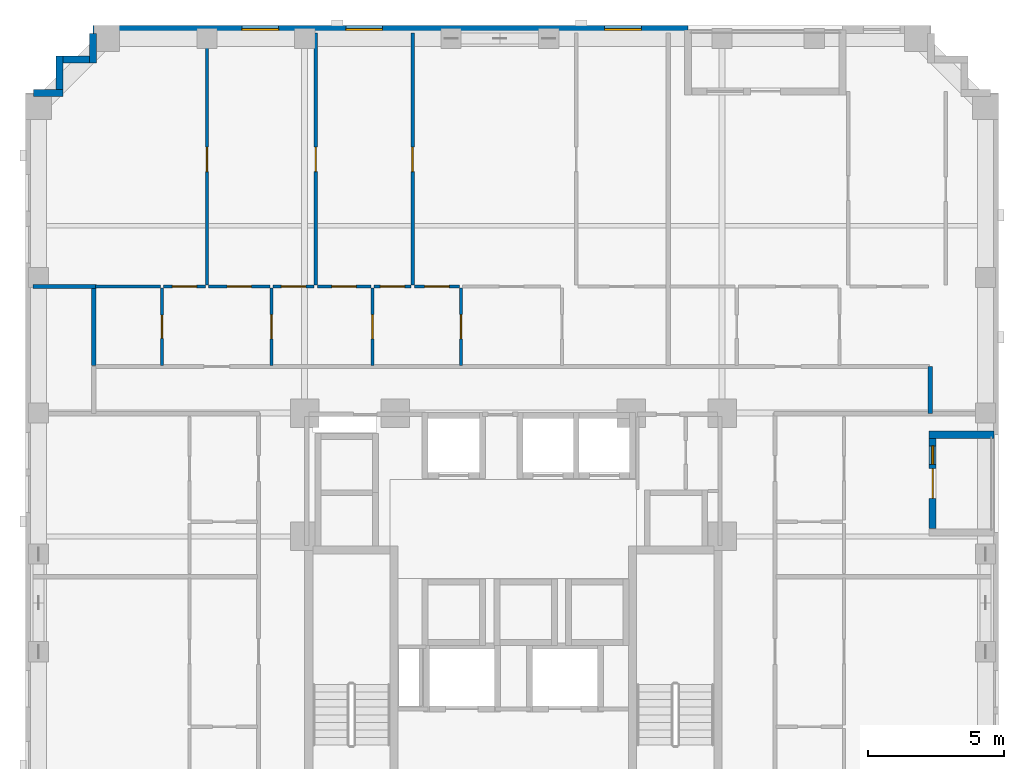
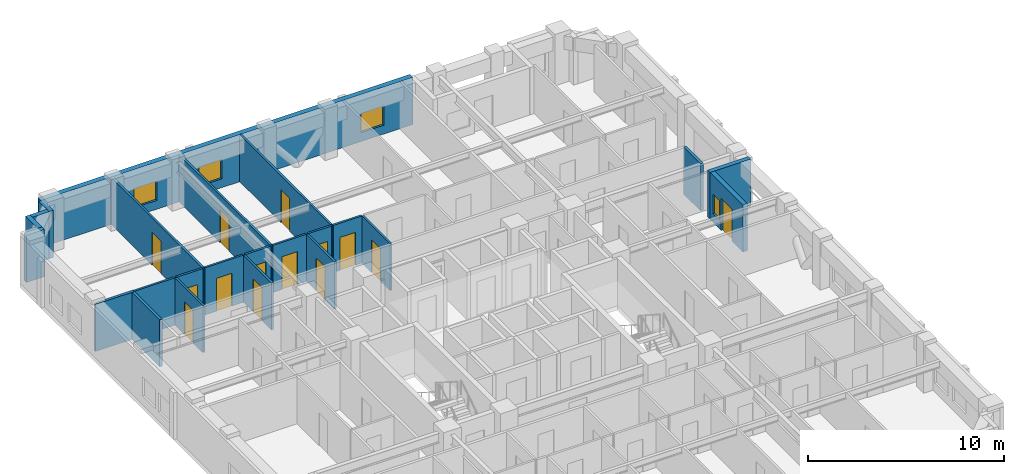
# One storey, part 7 of 12: 24 walls, 14 doors, 4 windows, 18 openings.
"""IFC4 building model written with IfcOpenShell, lengths in metres."""

from ifc_helpers import new_model, si_unit, derived_unit, direction, frame, frame_2d, origin, place, context, subcontext, project, spatial, rectangle, extrude, material, layer, layer_set, type_object, element, fill, save


model = new_model("IFC4")

# Units and contexts
model_context = context("Model", 3, precision=1e-05, world=origin(), true_north=direction((0.0, 1.0)))
body_context = subcontext(model_context, "Body", "Model", "MODEL_VIEW")
ifc_project = project(units=[si_unit("LENGTHUNIT", "METRE"), si_unit("AREAUNIT", "SQUARE_METRE"), si_unit("VOLUMEUNIT", "CUBIC_METRE"), si_unit("PLANEANGLEUNIT", "RADIAN"), si_unit("MASSUNIT", "GRAM", prefix="KILO"), derived_unit("THERMALTRANSMITTANCEUNIT", [(si_unit("MASSUNIT", "GRAM", prefix="KILO"), 1), (si_unit("TIMEUNIT", "SECOND"), -3), (si_unit("THERMODYNAMICTEMPERATUREUNIT", "KELVIN"), -1)])], contexts=[model_context])

# Site, building, storey
site_placement = place(None, origin())
site = spatial("IfcSite", under=ifc_project, at=site_placement, CompositionType="ELEMENT")
building_placement = place(site_placement, origin())
building = spatial("IfcBuilding", under=site, at=building_placement, Name="Korrvale Station Residences", CompositionType="ELEMENT")
storey_placement = place(building_placement, frame((0.0, 0.0, 110.300048828125)))
storey = spatial("IfcBuildingStorey", under=building, at=storey_placement, Name="L31", CompositionType="ELEMENT", Elevation=110.300048828125)

# Wall
ifc_material_1 = material(Name="Precast concrete C45/55", Category="concrete")
ifc_layer_1 = layer(ifc_material_1, 0.260009765625, Name="Precast concrete C45/55")
ifc_layer_set_1 = layer_set([ifc_layer_1], Name="Precast concrete C45/55")
wall_type_1 = type_object("IfcWallType", Name="WAL-EXT-LOG260", PredefinedType="SOLIDWALL", material=ifc_layer_set_1)
wall_1_placement = place(storey_placement, frame((43.239990234375, 28.199951171875, 0.0), z_axis=(0.0, 0.0, 1.0), x_axis=(-1.0, 0.0, 0.0)))
element("IfcWall", 1, at=wall_1_placement, inside=storey, type_object=wall_type_1, Name="L31 Recessed Loggia Wall BAL-L31-E1-L", PredefinedType="SOLIDWALL", context=body_context, shape_type="SweptSolid", body=[
    extrude(rectangle(XDim=2.39990234375, YDim=0.260009765625, at=frame_2d((1.199951171875, 0.0))), origin(), (0.0, 0.0, 1.0), 2.93994140625),
])

# Wall, openings, door, window
wall_2_placement = place(storey_placement, frame((40.969970703125, 28.06591796875, 0.0), z_axis=(0.0, 0.0, 1.0), x_axis=(0.0, -1.0, 0.0)))
wall_2 = element("IfcWall", 2, at=wall_2_placement, inside=storey, type_object=wall_type_1, Name="L31 Recessed Loggia Wall BAL-L31-E1-B", PredefinedType="SOLIDWALL", context=body_context, shape_type="SweptSolid", body=[
    extrude(rectangle(XDim=3.33203125, YDim=0.260009765625, at=frame_2d((1.666015625, 0.0))), origin(), (0.0, 0.0, 1.0), 2.93994140625),
])
opening_1_placement = place(wall_2_placement, frame((1.115966796875, 0.0, 0.0)))
opening_1 = element("IfcOpeningElement", 3, at=opening_1_placement, cuts=wall_2, Name="Opening BD-01", PredefinedType="OPENING", context=body_context, shape_type="SweptSolid", body=[
    extrude(rectangle(XDim=1.10009765625, YDim=2.0, at=frame_2d((0.550048828125, 1.0))), frame((0.0, 0.14013671875, 0.0), z_axis=(0.0, -1.0, 0.0), x_axis=(1.0, 0.0, 0.0)), (0.0, 0.0, 1.0), 0.280029296875),
])
opening_2_placement = place(wall_2_placement, frame((0.27587890625, 0.0, 0.550048828125)))
opening_2 = element("IfcOpeningElement", 4, at=opening_2_placement, cuts=wall_2, Name="Opening W-12", PredefinedType="OPENING", context=body_context, shape_type="SweptSolid", body=[
    extrude(rectangle(XDim=0.679931640625, YDim=1.199951171875, at=frame_2d((0.33984375, 0.60009765625))), frame((0.0, 0.14013671875, 0.0), z_axis=(0.0, -1.0, 0.0), x_axis=(1.0, 0.0, 0.0)), (0.0, 0.0, 1.0), 0.280029296875),
])
ifc_material_2 = material(Name="Exterior thermally broken aluminium glazed balcony door", Category="aluminium")
door_type_1 = type_object("IfcDoorType", Name="DR-EXT-BAL", OperationType="NOTDEFINED", PredefinedType="DOOR", material=ifc_material_2)
door_1_placement = place(opening_1_placement, origin())
door_1 = element("IfcDoor", 5, at=door_1_placement, inside=storey, type_object=door_type_1, Name="L31 Loggia Balcony Door BAL-L31-E1", OperationType="SINGLE_SWING_RIGHT", OverallHeight=2.0, OverallWidth=1.10009765625, PredefinedType="DOOR", context=body_context, shape_type="SweptSolid", body=[
    extrude(rectangle(XDim=1.10009765625, YDim=2.0, at=frame_2d((0.550048828125, 1.0))), frame((0.0, 0.02490234375, 0.0), z_axis=(0.0, -1.0, 0.0), x_axis=(1.0, 0.0, 0.0)), (0.0, 0.0, 1.0), 0.050048828125),
])
fill(opening_1, door_1)
ifc_material_3 = material(Name="Thermally broken aluminium frame with triple low-e glazing", Category="aluminium")
window_type_1 = type_object("IfcWindowType", Name="WIN-W12", PartitioningType="SINGLE_PANEL", PredefinedType="WINDOW", material=ifc_material_3)
window_1_placement = place(opening_2_placement, origin())
window_1 = element("IfcWindow", 6, at=window_1_placement, inside=storey, type_object=window_type_1, Name="L31 Punched Window 25", OverallHeight=1.199951171875, OverallWidth=0.679931640625, PartitioningType="SINGLE_PANEL", PredefinedType="WINDOW", context=body_context, shape_type="SweptSolid", body=[
    extrude(rectangle(XDim=0.679931640625, YDim=1.199951171875, at=frame_2d((0.33984375, 0.60009765625))), frame((0.0, 0.030029296875, 0.0), z_axis=(0.0, -1.0, 0.0), x_axis=(1.0, 0.0, 0.0)), (0.0, 0.0, 1.0), 0.06005859375),
])
fill(opening_2, window_1)

# Walls
wall_3_placement = place(storey_placement, frame((7.802001953125, 40.800048828125, 0.0), z_axis=(0.0, 0.0, 1.0), x_axis=(1.0, 0.0, 0.0)))
element("IfcWall", 7, at=wall_3_placement, inside=storey, type_object=wall_type_1, Name="L31 Serrated Corner Precast Step NW-1", PredefinedType="SOLIDWALL", context=body_context, shape_type="SweptSolid", body=[
    extrude(rectangle(XDim=1.077880859375, YDim=0.260009765625, at=frame_2d((0.5390625, 0.0))), origin(), (0.0, 0.0, 1.0), 2.93994140625),
])
wall_4_placement = place(storey_placement, frame((8.75, 40.931884765625, 0.0), z_axis=(0.0, 0.0, 1.0), x_axis=(0.0, 1.0, 0.0)))
element("IfcWall", 8, at=wall_4_placement, inside=storey, type_object=wall_type_1, Name="L31 Serrated Corner Precast Step NW-2", PredefinedType="SOLIDWALL", context=body_context, shape_type="SweptSolid", body=[
    extrude(rectangle(XDim=1.248046875, YDim=0.260009765625, at=frame_2d((0.6240234375, 0.0))), origin(), (0.0, 0.0, 1.0), 2.93994140625),
])
wall_5_placement = place(storey_placement, frame((8.882080078125, 42.050048828125, 0.0), z_axis=(0.0, 0.0, 1.0), x_axis=(1.0, 0.0, 0.0)))
element("IfcWall", 9, at=wall_5_placement, inside=storey, type_object=wall_type_1, Name="L31 Serrated Corner Precast Step NW-3", PredefinedType="SOLIDWALL", context=body_context, shape_type="SweptSolid", body=[
    extrude(rectangle(XDim=0.98583984375, YDim=0.260009765625, at=frame_2d((0.492919921875, 0.0))), origin(), (0.0, 0.0, 1.0), 2.93994140625),
])
wall_6_placement = place(storey_placement, frame((10.0, 41.919921875, 0.0), z_axis=(0.0, 0.0, 1.0), x_axis=(0.0, 1.0, 0.0)))
element("IfcWall", 10, at=wall_6_placement, inside=storey, type_object=wall_type_1, Name="L31 Serrated Corner Precast Step NW-4", PredefinedType="SOLIDWALL", context=body_context, shape_type="SweptSolid", body=[
    extrude(rectangle(XDim=1.078125, YDim=0.260009765625, at=frame_2d((0.5390625, 0.0))), origin(), (0.0, 0.0, 1.0), 2.93994140625),
])

# Wall, openings, windows
ifc_layer_2 = layer(ifc_material_1, 0.300048828125, Name="Precast concrete C45/55")
ifc_layer_set_2 = layer_set([ifc_layer_2], Name="Precast concrete C45/55")
wall_type_2 = type_object("IfcWallType", Name="WAL-EXT-PC300", PredefinedType="SOLIDWALL", material=ifc_layer_set_2)
wall_7_placement = place(storey_placement, frame((10.0, 43.14990234375, 0.0), z_axis=(0.0, 0.0, 1.0), x_axis=(1.0, 0.0, 0.0)))
wall_7 = element("IfcWall", 11, at=wall_7_placement, inside=storey, type_object=wall_type_2, Name="L31 North Exterior Precast Wall 1", PredefinedType="SOLIDWALL", context=body_context, shape_type="SweptSolid", body=[
    extrude(rectangle(XDim=21.949951171875, YDim=0.300048828125, at=frame_2d((10.97509765625, 0.0))), origin(), (0.0, 0.0, 1.0), 2.93994140625),
])
opening_3_placement = place(wall_7_placement, frame((5.489013671875, 0.0, 0.550048828125)))
opening_3 = element("IfcOpeningElement", 12, at=opening_3_placement, cuts=wall_7, Name="Opening W-10", PredefinedType="OPENING", context=body_context, shape_type="SweptSolid", body=[
    extrude(rectangle(XDim=1.35009765625, YDim=1.199951171875, at=frame_2d((0.675048828125, 0.60009765625))), frame((0.0, 0.16015625, 0.0), z_axis=(0.0, -1.0, 0.0), x_axis=(1.0, 0.0, 0.0)), (0.0, 0.0, 1.0), 0.320068359375),
])
opening_4_placement = place(wall_7_placement, frame((9.322021484375, 0.0, 0.550048828125)))
opening_4 = element("IfcOpeningElement", 13, at=opening_4_placement, cuts=wall_7, Name="Opening W-10", PredefinedType="OPENING", context=body_context, shape_type="SweptSolid", body=[
    extrude(rectangle(XDim=1.35009765625, YDim=1.199951171875, at=frame_2d((0.675048828125, 0.60009765625))), frame((0.0, 0.16015625, 0.0), z_axis=(0.0, -1.0, 0.0), x_axis=(1.0, 0.0, 0.0)), (0.0, 0.0, 1.0), 0.320068359375),
])
opening_5_placement = place(wall_7_placement, frame((18.868896484375, 0.0, 0.550048828125)))
opening_5 = element("IfcOpeningElement", 14, at=opening_5_placement, cuts=wall_7, Name="Opening W-10", PredefinedType="OPENING", context=body_context, shape_type="SweptSolid", body=[
    extrude(rectangle(XDim=1.35009765625, YDim=1.199951171875, at=frame_2d((0.675048828125, 0.60009765625))), frame((0.0, 0.16015625, 0.0), z_axis=(0.0, -1.0, 0.0), x_axis=(1.0, 0.0, 0.0)), (0.0, 0.0, 1.0), 0.320068359375),
])
window_type_2 = type_object("IfcWindowType", Name="WIN-W10", PartitioningType="SINGLE_PANEL", PredefinedType="WINDOW", material=ifc_material_3)
window_2_placement = place(opening_3_placement, origin())
window_2 = element("IfcWindow", 15, at=window_2_placement, inside=storey, type_object=window_type_2, Name="L31 Punched Window 14", OverallHeight=1.199951171875, OverallWidth=1.35009765625, PartitioningType="SINGLE_PANEL", PredefinedType="WINDOW", context=body_context, shape_type="SweptSolid", body=[
    extrude(rectangle(XDim=1.35009765625, YDim=1.199951171875, at=frame_2d((0.675048828125, 0.60009765625))), frame((0.0, 0.030029296875, 0.0), z_axis=(0.0, -1.0, 0.0), x_axis=(1.0, 0.0, 0.0)), (0.0, 0.0, 1.0), 0.06005859375),
])
fill(opening_3, window_2)
window_3_placement = place(opening_4_placement, origin())
window_3 = element("IfcWindow", 16, at=window_3_placement, inside=storey, type_object=window_type_2, Name="L31 Punched Window 15", OverallHeight=1.199951171875, OverallWidth=1.35009765625, PartitioningType="SINGLE_PANEL", PredefinedType="WINDOW", context=body_context, shape_type="SweptSolid", body=[
    extrude(rectangle(XDim=1.35009765625, YDim=1.199951171875, at=frame_2d((0.675048828125, 0.60009765625))), frame((0.0, 0.030029296875, 0.0), z_axis=(0.0, -1.0, 0.0), x_axis=(1.0, 0.0, 0.0)), (0.0, 0.0, 1.0), 0.06005859375),
])
fill(opening_4, window_3)
window_4_placement = place(opening_5_placement, origin())
window_4 = element("IfcWindow", 17, at=window_4_placement, inside=storey, type_object=window_type_2, Name="L31 Punched Window 16", OverallHeight=1.199951171875, OverallWidth=1.35009765625, PartitioningType="SINGLE_PANEL", PredefinedType="WINDOW", context=body_context, shape_type="SweptSolid", body=[
    extrude(rectangle(XDim=1.35009765625, YDim=1.199951171875, at=frame_2d((0.675048828125, 0.60009765625))), frame((0.0, 0.030029296875, 0.0), z_axis=(0.0, -1.0, 0.0), x_axis=(1.0, 0.0, 0.0)), (0.0, 0.0, 1.0), 0.06005859375),
])
fill(opening_5, window_4)

# Wall, opening, door
ifc_material_4 = material(Name="Acoustic steel-stud gypsum board partition", Category="steel")
ifc_layer_3 = layer(ifc_material_4, 0.1201171875, Name="Acoustic steel-stud gypsum board partition")
ifc_layer_set_3 = layer_set([ifc_layer_3], Name="Acoustic steel-stud gypsum board partition")
wall_type_3 = type_object("IfcWallType", Name="WAL-PART-125", PredefinedType="PARTITIONING", material=ifc_layer_set_3)
wall_8_placement = place(storey_placement, frame((12.5400390625, 30.760009765625, 0.0), z_axis=(0.0, 0.0, 1.0), x_axis=(0.0, 1.0, 0.0)))
wall_8 = element("IfcWall", 18, at=wall_8_placement, inside=storey, type_object=wall_type_3, Name="L31 Suite Partition U03-V01", PredefinedType="PARTITIONING", context=body_context, shape_type="SweptSolid", body=[
    extrude(rectangle(XDim=2.85009765625, YDim=0.1201171875, at=frame_2d((1.425048828125, 0.0))), origin(), (0.0, 0.0, 1.0), 2.93994140625),
])
opening_6_placement = place(wall_8_placement, frame((0.9951171875, 0.0, 0.0)))
opening_6 = element("IfcOpeningElement", 19, at=opening_6_placement, cuts=wall_8, Name="Opening DB-860", PredefinedType="OPENING", context=body_context, shape_type="SweptSolid", body=[
    extrude(rectangle(XDim=0.860107421875, YDim=2.050048828125, at=frame_2d((0.43017578125, 1.02490234375))), frame((0.0, 0.070068359375, 0.0), z_axis=(0.0, -1.0, 0.0), x_axis=(1.0, 0.0, 0.0)), (0.0, 0.0, 1.0), 0.14013671875),
])
ifc_material_5 = material(Name="Moisture-resistant solid-core bathroom door", Category="timber")
door_type_2 = type_object("IfcDoorType", Name="DR-BATH-860", OperationType="NOTDEFINED", PredefinedType="DOOR", material=ifc_material_5)
door_2_placement = place(opening_6_placement, origin())
door_2 = element("IfcDoor", 20, at=door_2_placement, inside=storey, type_object=door_type_2, Name="L31 Apartment 1BR L31-U03 Bathroom Door", OperationType="SINGLE_SWING_RIGHT", OverallHeight=2.050048828125, OverallWidth=0.860107421875, PredefinedType="DOOR", context=body_context, shape_type="SweptSolid", body=[
    extrude(rectangle(XDim=0.860107421875, YDim=2.050048828125, at=frame_2d((0.43017578125, 1.02490234375))), frame((0.0, 0.02490234375, 0.0), z_axis=(0.0, -1.0, 0.0), x_axis=(1.0, 0.0, 0.0)), (0.0, 0.0, 1.0), 0.050048828125),
])
fill(opening_6, door_2)

# Wall
wall_9_placement = place(storey_placement, frame((10.080078125, 33.669921875, 0.0), z_axis=(0.0, 0.0, 1.0), x_axis=(1.0, 0.0, 0.0)))
element("IfcWall", 21, at=wall_9_placement, inside=storey, type_object=wall_type_3, Name="L31 Suite Partition U03-H06", PredefinedType="PARTITIONING", context=body_context, shape_type="SweptSolid", body=[
    extrude(rectangle(XDim=2.39990234375, YDim=0.1201171875, at=frame_2d((1.199951171875, 0.0))), origin(), (0.0, 0.0, 1.0), 2.93994140625),
])

# Wall, opening, door
wall_10_placement = place(storey_placement, frame((16.580078125, 30.760009765625, 0.0), z_axis=(0.0, 0.0, 1.0), x_axis=(0.0, 1.0, 0.0)))
wall_10 = element("IfcWall", 22, at=wall_10_placement, inside=storey, type_object=wall_type_3, Name="L31 Suite Partition U03-V12", PredefinedType="PARTITIONING", context=body_context, shape_type="SweptSolid", body=[
    extrude(rectangle(XDim=2.85009765625, YDim=0.1201171875, at=frame_2d((1.425048828125, 0.0))), origin(), (0.0, 0.0, 1.0), 2.93994140625),
])
opening_7_placement = place(wall_10_placement, frame((0.97509765625, 0.0, 0.0)))
opening_7 = element("IfcOpeningElement", 23, at=opening_7_placement, cuts=wall_10, Name="Opening DI-900", PredefinedType="OPENING", context=body_context, shape_type="SweptSolid", body=[
    extrude(rectangle(XDim=0.89990234375, YDim=2.050048828125, at=frame_2d((0.449951171875, 1.02490234375))), frame((0.0, 0.070068359375, 0.0), z_axis=(0.0, -1.0, 0.0), x_axis=(1.0, 0.0, 0.0)), (0.0, 0.0, 1.0), 0.14013671875),
])
ifc_material_6 = material(Name="Painted solid-core timber interior room door", Category="wood")
door_type_3 = type_object("IfcDoorType", Name="DR-INT-900", OperationType="NOTDEFINED", PredefinedType="DOOR", material=ifc_material_6)
door_3_placement = place(opening_7_placement, origin())
door_3 = element("IfcDoor", 24, at=door_3_placement, inside=storey, type_object=door_type_3, Name="L31 Apartment 1BR L31-U03 Kitchen Door", OperationType="SINGLE_SWING_LEFT", OverallHeight=2.050048828125, OverallWidth=0.89990234375, PredefinedType="DOOR", context=body_context, shape_type="SweptSolid", body=[
    extrude(rectangle(XDim=0.89990234375, YDim=2.050048828125, at=frame_2d((0.449951171875, 1.02490234375))), frame((0.0, 0.02490234375, 0.0), z_axis=(0.0, -1.0, 0.0), x_axis=(1.0, 0.0, 0.0)), (0.0, 0.0, 1.0), 0.050048828125),
])
fill(opening_7, door_3)

wall_11_placement = place(storey_placement, frame((12.60009765625, 33.669921875, 0.0), z_axis=(0.0, 0.0, 1.0), x_axis=(1.0, 0.0, 0.0)))
wall_11 = element("IfcWall", 25, at=wall_11_placement, inside=storey, type_object=wall_type_3, Name="L31 Suite Partition U03-H16", PredefinedType="PARTITIONING", context=body_context, shape_type="SweptSolid", body=[
    extrude(rectangle(XDim=1.539794921875, YDim=0.1201171875, at=frame_2d((0.77001953125, 0.0))), origin(), (0.0, 0.0, 1.0), 2.93994140625),
])
opening_8_placement = place(wall_11_placement, frame((0.320068359375, 0.0, 0.0)))
opening_8 = element("IfcOpeningElement", 26, at=opening_8_placement, cuts=wall_11, Name="Opening DI-900", PredefinedType="OPENING", context=body_context, shape_type="SweptSolid", body=[
    extrude(rectangle(XDim=0.89990234375, YDim=2.050048828125, at=frame_2d((0.449951171875, 1.02490234375))), frame((0.0, 0.070068359375, 0.0), z_axis=(0.0, -1.0, 0.0), x_axis=(1.0, 0.0, 0.0)), (0.0, 0.0, 1.0), 0.14013671875),
])
door_4_placement = place(opening_8_placement, origin())
door_4 = element("IfcDoor", 27, at=door_4_placement, inside=storey, type_object=door_type_3, Name="L31 Apartment 1BR L31-U03 Kitchen Door", OperationType="SINGLE_SWING_RIGHT", OverallHeight=2.050048828125, OverallWidth=0.89990234375, PredefinedType="DOOR", context=body_context, shape_type="SweptSolid", body=[
    extrude(rectangle(XDim=0.89990234375, YDim=2.050048828125, at=frame_2d((0.449951171875, 1.02490234375))), frame((0.0, 0.02490234375, 0.0), z_axis=(0.0, -1.0, 0.0), x_axis=(1.0, 0.0, 0.0)), (0.0, 0.0, 1.0), 0.050048828125),
])
fill(opening_8, door_4)

wall_12_placement = place(storey_placement, frame((14.260009765625, 33.669921875, 0.0), z_axis=(0.0, 0.0, 1.0), x_axis=(1.0, 0.0, 0.0)))
wall_12 = element("IfcWall", 28, at=wall_12_placement, inside=storey, type_object=wall_type_3, Name="L31 Suite Partition U03-H17", PredefinedType="PARTITIONING", context=body_context, shape_type="SweptSolid", body=[
    extrude(rectangle(XDim=2.260009765625, YDim=0.1201171875, at=frame_2d((1.1298828125, 0.0))), origin(), (0.0, 0.0, 1.0), 2.93994140625),
])
opening_9_placement = place(wall_12_placement, frame((0.679931640625, 0.0, 0.0)))
opening_9 = element("IfcOpeningElement", 29, at=opening_9_placement, cuts=wall_12, Name="Opening DI-900", PredefinedType="OPENING", context=body_context, shape_type="SweptSolid", body=[
    extrude(rectangle(XDim=0.89990234375, YDim=2.050048828125, at=frame_2d((0.449951171875, 1.02490234375))), frame((0.0, 0.070068359375, 0.0), z_axis=(0.0, -1.0, 0.0), x_axis=(1.0, 0.0, 0.0)), (0.0, 0.0, 1.0), 0.14013671875),
])
door_5_placement = place(opening_9_placement, origin())
door_5 = element("IfcDoor", 30, at=door_5_placement, inside=storey, type_object=door_type_3, Name="L31 Apartment 1BR L31-U03 Kitchen Door", OperationType="SINGLE_SWING_LEFT", OverallHeight=2.050048828125, OverallWidth=0.89990234375, PredefinedType="DOOR", context=body_context, shape_type="SweptSolid", body=[
    extrude(rectangle(XDim=0.89990234375, YDim=2.050048828125, at=frame_2d((0.449951171875, 1.02490234375))), frame((0.0, 0.02490234375, 0.0), z_axis=(0.0, -1.0, 0.0), x_axis=(1.0, 0.0, 0.0)), (0.0, 0.0, 1.0), 0.050048828125),
])
fill(opening_9, door_5)

wall_13_placement = place(storey_placement, frame((20.300048828125, 30.760009765625, 0.0), z_axis=(0.0, 0.0, 1.0), x_axis=(0.0, 1.0, 0.0)))
wall_13 = element("IfcWall", 31, at=wall_13_placement, inside=storey, type_object=wall_type_3, Name="L31 Suite Partition U03-V23", PredefinedType="PARTITIONING", context=body_context, shape_type="SweptSolid", body=[
    extrude(rectangle(XDim=2.85009765625, YDim=0.1201171875, at=frame_2d((1.425048828125, 0.0))), origin(), (0.0, 0.0, 1.0), 2.93994140625),
])
opening_10_placement = place(wall_13_placement, frame((0.97509765625, 0.0, 0.0)))
opening_10 = element("IfcOpeningElement", 32, at=opening_10_placement, cuts=wall_13, Name="Opening DI-900", PredefinedType="OPENING", context=body_context, shape_type="SweptSolid", body=[
    extrude(rectangle(XDim=0.89990234375, YDim=2.050048828125, at=frame_2d((0.449951171875, 1.02490234375))), frame((0.0, 0.070068359375, 0.0), z_axis=(0.0, -1.0, 0.0), x_axis=(1.0, 0.0, 0.0)), (0.0, 0.0, 1.0), 0.14013671875),
])
door_6_placement = place(opening_10_placement, origin())
door_6 = element("IfcDoor", 33, at=door_6_placement, inside=storey, type_object=door_type_3, Name="L31 Apartment 1BR L31-U03 Utility and Laundry Room Door", OperationType="SINGLE_SWING_RIGHT", OverallHeight=2.050048828125, OverallWidth=0.89990234375, PredefinedType="DOOR", context=body_context, shape_type="SweptSolid", body=[
    extrude(rectangle(XDim=0.89990234375, YDim=2.050048828125, at=frame_2d((0.449951171875, 1.02490234375))), frame((0.0, 0.02490234375, 0.0), z_axis=(0.0, -1.0, 0.0), x_axis=(1.0, 0.0, 0.0)), (0.0, 0.0, 1.0), 0.050048828125),
])
fill(opening_10, door_6)

wall_14_placement = place(storey_placement, frame((16.639892578125, 33.669921875, 0.0), z_axis=(0.0, 0.0, 1.0), x_axis=(1.0, 0.0, 0.0)))
wall_14 = element("IfcWall", 34, at=wall_14_placement, inside=storey, type_object=wall_type_3, Name="L31 Suite Partition U03-H27", PredefinedType="PARTITIONING", context=body_context, shape_type="SweptSolid", body=[
    extrude(rectangle(XDim=1.508056640625, YDim=0.1201171875, at=frame_2d((0.75390625, 0.0))), origin(), (0.0, 0.0, 1.0), 2.93994140625),
])
opening_11_placement = place(wall_14_placement, frame((0.303955078125, 0.0, 0.0)))
opening_11 = element("IfcOpeningElement", 35, at=opening_11_placement, cuts=wall_14, Name="Opening DI-900", PredefinedType="OPENING", context=body_context, shape_type="SweptSolid", body=[
    extrude(rectangle(XDim=0.89990234375, YDim=2.050048828125, at=frame_2d((0.449951171875, 1.02490234375))), frame((0.0, 0.070068359375, 0.0), z_axis=(0.0, -1.0, 0.0), x_axis=(1.0, 0.0, 0.0)), (0.0, 0.0, 1.0), 0.14013671875),
])
door_7_placement = place(opening_11_placement, origin())
door_7 = element("IfcDoor", 36, at=door_7_placement, inside=storey, type_object=door_type_3, Name="L31 Apartment 1BR L31-U03 Utility and Laundry Room Door", OperationType="SINGLE_SWING_LEFT", OverallHeight=2.050048828125, OverallWidth=0.89990234375, PredefinedType="DOOR", context=body_context, shape_type="SweptSolid", body=[
    extrude(rectangle(XDim=0.89990234375, YDim=2.050048828125, at=frame_2d((0.449951171875, 1.02490234375))), frame((0.0, 0.02490234375, 0.0), z_axis=(0.0, -1.0, 0.0), x_axis=(1.0, 0.0, 0.0)), (0.0, 0.0, 1.0), 0.050048828125),
])
fill(opening_11, door_7)

wall_15_placement = place(storey_placement, frame((18.26806640625, 33.669921875, 0.0), z_axis=(0.0, 0.0, 1.0), x_axis=(1.0, 0.0, 0.0)))
wall_15 = element("IfcWall", 37, at=wall_15_placement, inside=storey, type_object=wall_type_3, Name="L31 Suite Partition U03-H28", PredefinedType="PARTITIONING", context=body_context, shape_type="SweptSolid", body=[
    extrude(rectangle(XDim=1.971923828125, YDim=0.1201171875, at=frame_2d((0.98583984375, 0.0))), origin(), (0.0, 0.0, 1.0), 2.93994140625),
])
opening_12_placement = place(wall_15_placement, frame((0.535888671875, 0.0, 0.0)))
opening_12 = element("IfcOpeningElement", 38, at=opening_12_placement, cuts=wall_15, Name="Opening DI-900", PredefinedType="OPENING", context=body_context, shape_type="SweptSolid", body=[
    extrude(rectangle(XDim=0.89990234375, YDim=2.050048828125, at=frame_2d((0.449951171875, 1.02490234375))), frame((0.0, 0.070068359375, 0.0), z_axis=(0.0, -1.0, 0.0), x_axis=(1.0, 0.0, 0.0)), (0.0, 0.0, 1.0), 0.14013671875),
])
door_8_placement = place(opening_12_placement, origin())
door_8 = element("IfcDoor", 39, at=door_8_placement, inside=storey, type_object=door_type_3, Name="L31 Apartment 1BR L31-U03 Utility and Laundry Room Door", OperationType="SINGLE_SWING_RIGHT", OverallHeight=2.050048828125, OverallWidth=0.89990234375, PredefinedType="DOOR", context=body_context, shape_type="SweptSolid", body=[
    extrude(rectangle(XDim=0.89990234375, YDim=2.050048828125, at=frame_2d((0.449951171875, 1.02490234375))), frame((0.0, 0.02490234375, 0.0), z_axis=(0.0, -1.0, 0.0), x_axis=(1.0, 0.0, 0.0)), (0.0, 0.0, 1.0), 0.050048828125),
])
fill(opening_12, door_8)

wall_16_placement = place(storey_placement, frame((23.570068359375, 30.760009765625, 0.0), z_axis=(0.0, 0.0, 1.0), x_axis=(0.0, 1.0, 0.0)))
wall_16 = element("IfcWall", 40, at=wall_16_placement, inside=storey, type_object=wall_type_3, Name="L31 Suite Partition U03-V34", PredefinedType="PARTITIONING", context=body_context, shape_type="SweptSolid", body=[
    extrude(rectangle(XDim=2.85009765625, YDim=0.1201171875, at=frame_2d((1.425048828125, 0.0))), origin(), (0.0, 0.0, 1.0), 2.93994140625),
])
opening_13_placement = place(wall_16_placement, frame((0.97509765625, 0.0, 0.0)))
opening_13 = element("IfcOpeningElement", 41, at=opening_13_placement, cuts=wall_16, Name="Opening DI-900", PredefinedType="OPENING", context=body_context, shape_type="SweptSolid", body=[
    extrude(rectangle(XDim=0.89990234375, YDim=2.050048828125, at=frame_2d((0.449951171875, 1.02490234375))), frame((0.0, 0.070068359375, 0.0), z_axis=(0.0, -1.0, 0.0), x_axis=(1.0, 0.0, 0.0)), (0.0, 0.0, 1.0), 0.14013671875),
])
door_9_placement = place(opening_13_placement, origin())
door_9 = element("IfcDoor", 42, at=door_9_placement, inside=storey, type_object=door_type_3, Name="L31 Apartment 1BR L31-U03 Storage Closet 2 Door", OperationType="SINGLE_SWING_LEFT", OverallHeight=2.050048828125, OverallWidth=0.89990234375, PredefinedType="DOOR", context=body_context, shape_type="SweptSolid", body=[
    extrude(rectangle(XDim=0.89990234375, YDim=2.050048828125, at=frame_2d((0.449951171875, 1.02490234375))), frame((0.0, 0.02490234375, 0.0), z_axis=(0.0, -1.0, 0.0), x_axis=(1.0, 0.0, 0.0)), (0.0, 0.0, 1.0), 0.050048828125),
])
fill(opening_13, door_9)

wall_17_placement = place(storey_placement, frame((20.360107421875, 33.669921875, 0.0), z_axis=(0.0, 0.0, 1.0), x_axis=(1.0, 0.0, 0.0)))
wall_17 = element("IfcWall", 43, at=wall_17_placement, inside=storey, type_object=wall_type_3, Name="L31 Suite Partition U03-H38", PredefinedType="PARTITIONING", context=body_context, shape_type="SweptSolid", body=[
    extrude(rectangle(XDim=1.364013671875, YDim=0.1201171875, at=frame_2d((0.68212890625, 0.0))), origin(), (0.0, 0.0, 1.0), 2.93994140625),
])
opening_14_placement = place(wall_17_placement, frame((0.23193359375, 0.0, 0.0)))
opening_14 = element("IfcOpeningElement", 44, at=opening_14_placement, cuts=wall_17, Name="Opening DI-900", PredefinedType="OPENING", context=body_context, shape_type="SweptSolid", body=[
    extrude(rectangle(XDim=0.89990234375, YDim=2.050048828125, at=frame_2d((0.449951171875, 1.02490234375))), frame((0.0, 0.070068359375, 0.0), z_axis=(0.0, -1.0, 0.0), x_axis=(1.0, 0.0, 0.0)), (0.0, 0.0, 1.0), 0.14013671875),
])
door_10_placement = place(opening_14_placement, origin())
door_10 = element("IfcDoor", 45, at=door_10_placement, inside=storey, type_object=door_type_3, Name="L31 Apartment 1BR L31-U03 Storage Closet 2 Door", OperationType="SINGLE_SWING_RIGHT", OverallHeight=2.050048828125, OverallWidth=0.89990234375, PredefinedType="DOOR", context=body_context, shape_type="SweptSolid", body=[
    extrude(rectangle(XDim=0.89990234375, YDim=2.050048828125, at=frame_2d((0.449951171875, 1.02490234375))), frame((0.0, 0.02490234375, 0.0), z_axis=(0.0, -1.0, 0.0), x_axis=(1.0, 0.0, 0.0)), (0.0, 0.0, 1.0), 0.050048828125),
])
fill(opening_14, door_10)

wall_18_placement = place(storey_placement, frame((21.843994140625, 33.669921875, 0.0), z_axis=(0.0, 0.0, 1.0), x_axis=(1.0, 0.0, 0.0)))
wall_18 = element("IfcWall", 46, at=wall_18_placement, inside=storey, type_object=wall_type_3, Name="L31 Suite Partition U03-H39", PredefinedType="PARTITIONING", context=body_context, shape_type="SweptSolid", body=[
    extrude(rectangle(XDim=1.666015625, YDim=0.1201171875, at=frame_2d((0.8330078125, 0.0))), origin(), (0.0, 0.0, 1.0), 2.93994140625),
])
opening_15_placement = place(wall_18_placement, frame((0.383056640625, 0.0, 0.0)))
opening_15 = element("IfcOpeningElement", 47, at=opening_15_placement, cuts=wall_18, Name="Opening DI-900", PredefinedType="OPENING", context=body_context, shape_type="SweptSolid", body=[
    extrude(rectangle(XDim=0.89990234375, YDim=2.050048828125, at=frame_2d((0.449951171875, 1.02490234375))), frame((0.0, 0.070068359375, 0.0), z_axis=(0.0, -1.0, 0.0), x_axis=(1.0, 0.0, 0.0)), (0.0, 0.0, 1.0), 0.14013671875),
])
door_11_placement = place(opening_15_placement, origin())
door_11 = element("IfcDoor", 48, at=door_11_placement, inside=storey, type_object=door_type_3, Name="L31 Apartment 1BR L31-U03 Storage Closet 2 Door", OperationType="SINGLE_SWING_LEFT", OverallHeight=2.050048828125, OverallWidth=0.89990234375, PredefinedType="DOOR", context=body_context, shape_type="SweptSolid", body=[
    extrude(rectangle(XDim=0.89990234375, YDim=2.050048828125, at=frame_2d((0.449951171875, 1.02490234375))), frame((0.0, 0.02490234375, 0.0), z_axis=(0.0, -1.0, 0.0), x_axis=(1.0, 0.0, 0.0)), (0.0, 0.0, 1.0), 0.050048828125),
])
fill(opening_15, door_11)

wall_19_placement = place(storey_placement, frame((14.199951171875, 33.72998046875, 0.0), z_axis=(0.0, 0.0, 1.0), x_axis=(0.0, 1.0, 0.0)))
wall_19 = element("IfcWall", 49, at=wall_19_placement, inside=storey, type_object=wall_type_3, Name="L31 Suite Partition U03-V67", PredefinedType="PARTITIONING", context=body_context, shape_type="SweptSolid", body=[
    extrude(rectangle(XDim=9.2900390625, YDim=0.1201171875, at=frame_2d((4.64501953125, 0.0))), origin(), (0.0, 0.0, 1.0), 2.93994140625),
])
opening_16_placement = place(wall_19_placement, frame((4.179931640625, 0.0, 0.0)))
opening_16 = element("IfcOpeningElement", 50, at=opening_16_placement, cuts=wall_19, Name="Opening DI-900", PredefinedType="OPENING", context=body_context, shape_type="SweptSolid", body=[
    extrude(rectangle(XDim=0.89990234375, YDim=2.050048828125, at=frame_2d((0.449951171875, 1.02490234375))), frame((0.0, 0.070068359375, 0.0), z_axis=(0.0, -1.0, 0.0), x_axis=(1.0, 0.0, 0.0)), (0.0, 0.0, 1.0), 0.14013671875),
])
door_12_placement = place(opening_16_placement, origin())
door_12 = element("IfcDoor", 51, at=door_12_placement, inside=storey, type_object=door_type_3, Name="L31 Apartment 1BR L31-U03 Living and Dining Room Door", OperationType="SINGLE_SWING_LEFT", OverallHeight=2.050048828125, OverallWidth=0.89990234375, PredefinedType="DOOR", context=body_context, shape_type="SweptSolid", body=[
    extrude(rectangle(XDim=0.89990234375, YDim=2.050048828125, at=frame_2d((0.449951171875, 1.02490234375))), frame((0.0, 0.02490234375, 0.0), z_axis=(0.0, -1.0, 0.0), x_axis=(1.0, 0.0, 0.0)), (0.0, 0.0, 1.0), 0.050048828125),
])
fill(opening_16, door_12)

wall_20_placement = place(storey_placement, frame((18.2080078125, 33.72998046875, 0.0), z_axis=(0.0, 0.0, 1.0), x_axis=(0.0, 1.0, 0.0)))
wall_20 = element("IfcWall", 52, at=wall_20_placement, inside=storey, type_object=wall_type_3, Name="L31 Suite Partition U03-V78", PredefinedType="PARTITIONING", context=body_context, shape_type="SweptSolid", body=[
    extrude(rectangle(XDim=9.2900390625, YDim=0.1201171875, at=frame_2d((4.64501953125, 0.0))), origin(), (0.0, 0.0, 1.0), 2.93994140625),
])
opening_17_placement = place(wall_20_placement, frame((4.179931640625, 0.0, 0.0)))
opening_17 = element("IfcOpeningElement", 53, at=opening_17_placement, cuts=wall_20, Name="Opening DI-900", PredefinedType="OPENING", context=body_context, shape_type="SweptSolid", body=[
    extrude(rectangle(XDim=0.89990234375, YDim=2.050048828125, at=frame_2d((0.449951171875, 1.02490234375))), frame((0.0, 0.070068359375, 0.0), z_axis=(0.0, -1.0, 0.0), x_axis=(1.0, 0.0, 0.0)), (0.0, 0.0, 1.0), 0.14013671875),
])
door_13_placement = place(opening_17_placement, origin())
door_13 = element("IfcDoor", 54, at=door_13_placement, inside=storey, type_object=door_type_3, Name="L31 Apartment 1BR L31-U03 Formal Dining Room Door", OperationType="SINGLE_SWING_RIGHT", OverallHeight=2.050048828125, OverallWidth=0.89990234375, PredefinedType="DOOR", context=body_context, shape_type="SweptSolid", body=[
    extrude(rectangle(XDim=0.89990234375, YDim=2.050048828125, at=frame_2d((0.449951171875, 1.02490234375))), frame((0.0, 0.02490234375, 0.0), z_axis=(0.0, -1.0, 0.0), x_axis=(1.0, 0.0, 0.0)), (0.0, 0.0, 1.0), 0.050048828125),
])
fill(opening_17, door_13)

wall_21_placement = place(storey_placement, frame((21.783935546875, 33.72998046875, 0.0), z_axis=(0.0, 0.0, 1.0), x_axis=(0.0, 1.0, 0.0)))
wall_21 = element("IfcWall", 55, at=wall_21_placement, inside=storey, type_object=wall_type_3, Name="L31 Suite Partition U03-V89", PredefinedType="PARTITIONING", context=body_context, shape_type="SweptSolid", body=[
    extrude(rectangle(XDim=9.2900390625, YDim=0.1201171875, at=frame_2d((4.64501953125, 0.0))), origin(), (0.0, 0.0, 1.0), 2.93994140625),
])
opening_18_placement = place(wall_21_placement, frame((4.179931640625, 0.0, 0.0)))
opening_18 = element("IfcOpeningElement", 56, at=opening_18_placement, cuts=wall_21, Name="Opening DI-900", PredefinedType="OPENING", context=body_context, shape_type="SweptSolid", body=[
    extrude(rectangle(XDim=0.89990234375, YDim=2.050048828125, at=frame_2d((0.449951171875, 1.02490234375))), frame((0.0, 0.070068359375, 0.0), z_axis=(0.0, -1.0, 0.0), x_axis=(1.0, 0.0, 0.0)), (0.0, 0.0, 1.0), 0.14013671875),
])
door_14_placement = place(opening_18_placement, origin())
door_14 = element("IfcDoor", 57, at=door_14_placement, inside=storey, type_object=door_type_3, Name="L31 Apartment 1BR L31-U03 Home Study Room Door", OperationType="SINGLE_SWING_LEFT", OverallHeight=2.050048828125, OverallWidth=0.89990234375, PredefinedType="DOOR", context=body_context, shape_type="SweptSolid", body=[
    extrude(rectangle(XDim=0.89990234375, YDim=2.050048828125, at=frame_2d((0.449951171875, 1.02490234375))), frame((0.0, 0.02490234375, 0.0), z_axis=(0.0, -1.0, 0.0), x_axis=(1.0, 0.0, 0.0)), (0.0, 0.0, 1.0), 0.050048828125),
])
fill(opening_18, door_14)

# Walls
ifc_material_7 = material(Name="Fire-rated twin-stud gypsum and mineral wool shaftwall assembly", Category="gypsum")
ifc_layer_4 = layer(ifc_material_7, 0.159912109375, Name="Fire-rated twin-stud gypsum and mineral wool shaftwall assembly")
ifc_layer_set_4 = layer_set([ifc_layer_4], Name="Fire-rated twin-stud gypsum and mineral wool shaftwall assembly")
wall_type_4 = type_object("IfcWallType", Name="WAL-PART-200", PredefinedType="PARTITIONING", material=ifc_layer_set_4)
wall_22_placement = place(storey_placement, frame((40.8798828125, 28.97998046875, 0.0), z_axis=(0.0, 0.0, 1.0), x_axis=(0.0, 1.0, 0.0)))
element("IfcWall", 58, at=wall_22_placement, inside=storey, type_object=wall_type_4, Name="L31 Corridor North East Cap", PredefinedType="PARTITIONING", context=body_context, shape_type="SweptSolid", body=[
    extrude(rectangle(XDim=1.739990234375, YDim=0.159912109375, at=frame_2d((0.8701171875, 0.0))), origin(), (0.0, 0.0, 1.0), 2.93994140625),
])
wall_23_placement = place(storey_placement, frame((7.780029296875, 33.669921875, 0.0), z_axis=(0.0, 0.0, 1.0), x_axis=(1.0, 0.0, 0.0)))
element("IfcWall", 59, at=wall_23_placement, inside=storey, type_object=wall_type_4, Name="L31 Corner Step Wall U03-L", PredefinedType="PARTITIONING", context=body_context, shape_type="SweptSolid", body=[
    extrude(rectangle(XDim=2.340087890625, YDim=0.159912109375, at=frame_2d((1.169921875, 0.0))), origin(), (0.0, 0.0, 1.0), 2.93994140625),
])
wall_24_placement = place(storey_placement, frame((10.02001953125, 30.760009765625, 0.0), z_axis=(0.0, 0.0, 1.0), x_axis=(0.0, 1.0, 0.0)))
element("IfcWall", 60, at=wall_24_placement, inside=storey, type_object=wall_type_4, Name="L31 Corner Step Cheek U03-L", PredefinedType="PARTITIONING", context=body_context, shape_type="SweptSolid", body=[
    extrude(rectangle(XDim=2.909912109375, YDim=0.159912109375, at=frame_2d((1.455078125, 0.0))), origin(), (0.0, 0.0, 1.0), 2.93994140625),
])

save(model, "model.ifc")
